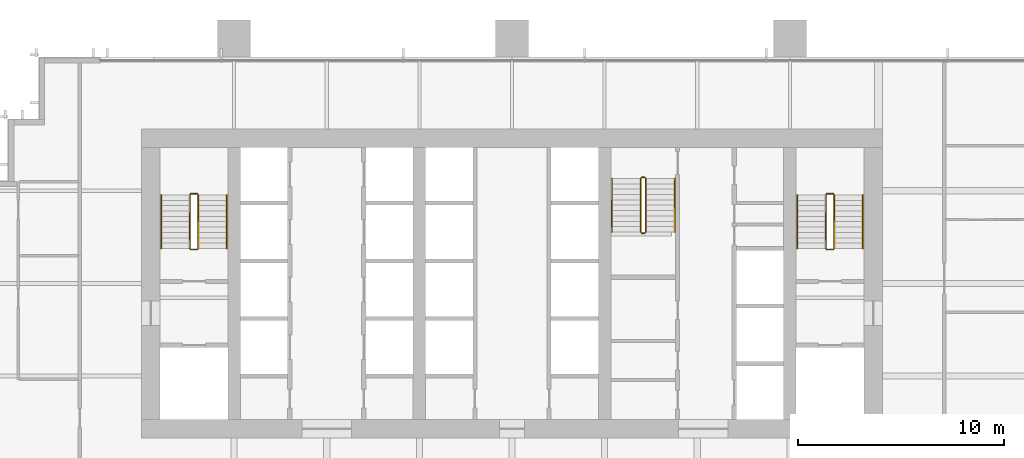
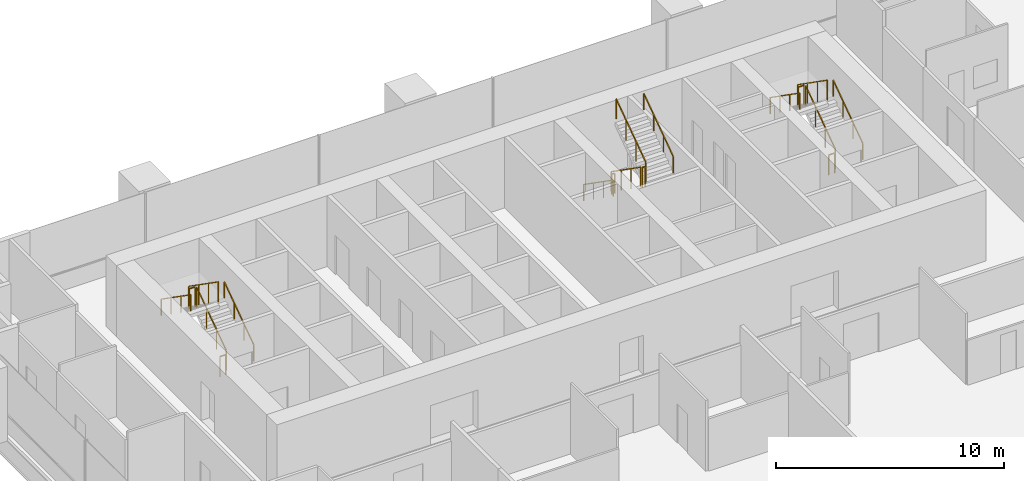
# One storey, part 17 of 17: 18 railings.
"""IFC4 building model written with IfcOpenShell, lengths in metres."""

from ifc_helpers import new_model, si_unit, direction, frame, origin, origin_2d, place, context, subcontext, project, spatial, rectangle, extrude, material, type_object, element, save


model = new_model("IFC4")

# Units and contexts
model_context = context("Model", 3, precision=1e-05, world=origin(), true_north=direction((0.0, 1.0)))
body_context = subcontext(model_context, "Body", "Model", "MODEL_VIEW")
ifc_project = project(units=[si_unit("LENGTHUNIT", "METRE"), si_unit("AREAUNIT", "SQUARE_METRE"), si_unit("VOLUMEUNIT", "CUBIC_METRE"), si_unit("PLANEANGLEUNIT", "RADIAN"), si_unit("MASSUNIT", "GRAM", prefix="KILO")], contexts=[model_context])

# Site, building, storey
site_placement = place(None, origin())
site = spatial("IfcSite", under=ifc_project, at=site_placement, CompositionType="ELEMENT")
building_placement = place(site_placement, origin())
building = spatial("IfcBuilding", under=site, at=building_placement, Name="Rattan Terrace Tower", CompositionType="ELEMENT")
storey_placement = place(building_placement, frame((0.0, 0.0, 83.699951171875)))
storey = spatial("IfcBuildingStorey", under=building, at=storey_placement, Name="L18", CompositionType="ELEMENT", Elevation=83.699951171875)

# Railings
ifc_material_1 = material(Name="Powder-coated steel guard", Category="steel")
railing_type_1 = type_object("IfcRailingType", Name="Core stair guard", PredefinedType="GUARDRAIL", material=ifc_material_1)
railing_1_placement = place(storey_placement, frame((-15.25, 1.699951171875, 0.181884765625)))
element("IfcRailing", 1, at=railing_1_placement, inside=storey, type_object=railing_type_1, Name="L18 S1 stair guard 1", PredefinedType="GUARDRAIL", context=body_context, shape_type="SweptSolid", body=[
    extrude(rectangle(XDim=0.048095703125, YDim=0.048095703125, at=origin_2d()), frame((0.0, 0.0, 1.076171875), z_axis=(0.0, 0.819521025635, 0.573049115296), x_axis=(-1.0, 0.0, 0.0)), (0.0, 0.0, 1.0), 3.172607421875),
    extrude(rectangle(XDim=0.0419921875, YDim=0.0419921875, at=origin_2d()), origin(), (0.0, 0.0, 1.0), 1.052001953125),
    extrude(rectangle(XDim=0.0419921875, YDim=0.0419921875, at=origin_2d()), frame((0.0, 0.86669921875, 0.60595703125)), (0.0, 0.0, 1.0), 1.052001953125),
    extrude(rectangle(XDim=0.0419921875, YDim=0.0419921875, at=origin_2d()), frame((0.0, 1.7333984375, 1.212158203125)), (0.0, 0.0, 1.0), 1.052001953125),
    extrude(rectangle(XDim=0.0419921875, YDim=0.0419921875, at=origin_2d()), frame((0.0, 2.60009765625, 1.818115234375)), (0.0, 0.0, 1.0), 1.052001953125),
])
railing_2_placement = place(storey_placement, frame((-15.300048828125, 4.35009765625, 2.0)))
element("IfcRailing", 2, at=railing_2_placement, inside=storey, type_object=railing_type_1, Name="L18 S1 stair guard 2", PredefinedType="GUARDRAIL", context=body_context, shape_type="SweptSolid", body=[
    extrude(rectangle(XDim=0.048095703125, YDim=0.048095703125, at=origin_2d()), frame((0.0, 0.0, 1.076171875), z_axis=(-1.0, 0.0, 0.0), x_axis=(0.0, -1.0, 0.0)), (0.0, 0.0, 1.0), 0.300048828125),
    extrude(rectangle(XDim=0.0419921875, YDim=0.0419921875, at=origin_2d()), origin(), (0.0, 0.0, 1.0), 1.052001953125),
    extrude(rectangle(XDim=0.0419921875, YDim=0.0419921875, at=origin_2d()), frame((-0.300048828125, 0.0, 0.0)), (0.0, 0.0, 1.0), 1.052001953125),
])
railing_3_placement = place(storey_placement, frame((-15.64990234375, 4.300048828125, 2.181884765625)))
element("IfcRailing", 3, at=railing_3_placement, inside=storey, type_object=railing_type_1, Name="L18 S1 stair guard 3", PredefinedType="GUARDRAIL", context=body_context, shape_type="SweptSolid", body=[
    extrude(rectangle(XDim=0.048095703125, YDim=0.048095703125, at=origin_2d()), frame((0.0, 0.0, 1.076171875), z_axis=(0.0, -0.819521025635, 0.573049115296), x_axis=(1.0, 0.0, 0.0)), (0.0, 0.0, 1.0), 3.172607421875),
    extrude(rectangle(XDim=0.0419921875, YDim=0.0419921875, at=origin_2d()), origin(), (0.0, 0.0, 1.0), 1.052001953125),
    extrude(rectangle(XDim=0.0419921875, YDim=0.0419921875, at=origin_2d()), frame((0.0, -0.86669921875, 0.60595703125)), (0.0, 0.0, 1.0), 1.052001953125),
    extrude(rectangle(XDim=0.0419921875, YDim=0.0419921875, at=origin_2d()), frame((0.0, -1.7333984375, 1.212158203125)), (0.0, 0.0, 1.0), 1.052001953125),
    extrude(rectangle(XDim=0.0419921875, YDim=0.0419921875, at=origin_2d()), frame((0.0, -2.60009765625, 1.818115234375)), (0.0, 0.0, 1.0), 1.052001953125),
])
railing_4_placement = place(storey_placement, frame((-15.300048828125, 1.64990234375, 0.0)))
element("IfcRailing", 4, at=railing_4_placement, inside=storey, type_object=railing_type_1, Name="L18 S1 stair guard 4", PredefinedType="GUARDRAIL", context=body_context, shape_type="SweptSolid", body=[
    extrude(rectangle(XDim=0.048095703125, YDim=0.048095703125, at=origin_2d()), frame((0.0, 0.0, 1.076171875), z_axis=(-1.0, 0.0, 0.0), x_axis=(0.0, -1.0, 0.0)), (0.0, 0.0, 1.0), 0.300048828125),
    extrude(rectangle(XDim=0.0419921875, YDim=0.0419921875, at=origin_2d()), origin(), (0.0, 0.0, 1.0), 1.052001953125),
    extrude(rectangle(XDim=0.0419921875, YDim=0.0419921875, at=origin_2d()), frame((-0.300048828125, 0.0, 0.0)), (0.0, 0.0, 1.0), 1.052001953125),
])
railing_5_placement = place(storey_placement, frame((15.64990234375, 1.699951171875, 0.181884765625)))
element("IfcRailing", 5, at=railing_5_placement, inside=storey, type_object=railing_type_1, Name="L18 S2 stair guard 1", PredefinedType="GUARDRAIL", context=body_context, shape_type="SweptSolid", body=[
    extrude(rectangle(XDim=0.048095703125, YDim=0.048095703125, at=origin_2d()), frame((0.0, 0.0, 1.076171875), z_axis=(0.0, 0.819521025635, 0.573049115296), x_axis=(-1.0, 0.0, 0.0)), (0.0, 0.0, 1.0), 3.172607421875),
    extrude(rectangle(XDim=0.0419921875, YDim=0.0419921875, at=origin_2d()), origin(), (0.0, 0.0, 1.0), 1.052001953125),
    extrude(rectangle(XDim=0.0419921875, YDim=0.0419921875, at=origin_2d()), frame((0.0, 0.86669921875, 0.60595703125)), (0.0, 0.0, 1.0), 1.052001953125),
    extrude(rectangle(XDim=0.0419921875, YDim=0.0419921875, at=origin_2d()), frame((0.0, 1.7333984375, 1.212158203125)), (0.0, 0.0, 1.0), 1.052001953125),
    extrude(rectangle(XDim=0.0419921875, YDim=0.0419921875, at=origin_2d()), frame((0.0, 2.60009765625, 1.818115234375)), (0.0, 0.0, 1.0), 1.052001953125),
])
railing_6_placement = place(storey_placement, frame((15.60009765625, 4.35009765625, 2.0)))
element("IfcRailing", 6, at=railing_6_placement, inside=storey, type_object=railing_type_1, Name="L18 S2 stair guard 2", PredefinedType="GUARDRAIL", context=body_context, shape_type="SweptSolid", body=[
    extrude(rectangle(XDim=0.048095703125, YDim=0.048095703125, at=origin_2d()), frame((0.0, 0.0, 1.076171875), z_axis=(-1.0, 0.0, 0.0), x_axis=(0.0, -1.0, 0.0)), (0.0, 0.0, 1.0), 0.300048828125),
    extrude(rectangle(XDim=0.0419921875, YDim=0.0419921875, at=origin_2d()), origin(), (0.0, 0.0, 1.0), 1.052001953125),
    extrude(rectangle(XDim=0.0419921875, YDim=0.0419921875, at=origin_2d()), frame((-0.300048828125, 0.0, 0.0)), (0.0, 0.0, 1.0), 1.052001953125),
])
railing_7_placement = place(storey_placement, frame((15.25, 4.300048828125, 2.181884765625)))
element("IfcRailing", 7, at=railing_7_placement, inside=storey, type_object=railing_type_1, Name="L18 S2 stair guard 3", PredefinedType="GUARDRAIL", context=body_context, shape_type="SweptSolid", body=[
    extrude(rectangle(XDim=0.048095703125, YDim=0.048095703125, at=origin_2d()), frame((0.0, 0.0, 1.076171875), z_axis=(0.0, -0.819521025635, 0.573049115296), x_axis=(1.0, 0.0, 0.0)), (0.0, 0.0, 1.0), 3.172607421875),
    extrude(rectangle(XDim=0.0419921875, YDim=0.0419921875, at=origin_2d()), origin(), (0.0, 0.0, 1.0), 1.052001953125),
    extrude(rectangle(XDim=0.0419921875, YDim=0.0419921875, at=origin_2d()), frame((0.0, -0.86669921875, 0.60595703125)), (0.0, 0.0, 1.0), 1.052001953125),
    extrude(rectangle(XDim=0.0419921875, YDim=0.0419921875, at=origin_2d()), frame((0.0, -1.7333984375, 1.212158203125)), (0.0, 0.0, 1.0), 1.052001953125),
    extrude(rectangle(XDim=0.0419921875, YDim=0.0419921875, at=origin_2d()), frame((0.0, -2.60009765625, 1.818115234375)), (0.0, 0.0, 1.0), 1.052001953125),
])
railing_8_placement = place(storey_placement, frame((15.60009765625, 1.64990234375, 0.0)))
element("IfcRailing", 8, at=railing_8_placement, inside=storey, type_object=railing_type_1, Name="L18 S2 stair guard 4", PredefinedType="GUARDRAIL", context=body_context, shape_type="SweptSolid", body=[
    extrude(rectangle(XDim=0.048095703125, YDim=0.048095703125, at=origin_2d()), frame((0.0, 0.0, 1.076171875), z_axis=(-1.0, 0.0, 0.0), x_axis=(0.0, -1.0, 0.0)), (0.0, 0.0, 1.0), 0.300048828125),
    extrude(rectangle(XDim=0.0419921875, YDim=0.0419921875, at=origin_2d()), origin(), (0.0, 0.0, 1.0), 1.052001953125),
    extrude(rectangle(XDim=0.0419921875, YDim=0.0419921875, at=origin_2d()), frame((-0.300048828125, 0.0, 0.0)), (0.0, 0.0, 1.0), 1.052001953125),
])
railing_9_placement = place(storey_placement, frame((6.25, 5.10009765625, 0.181884765625)))
element("IfcRailing", 9, at=railing_9_placement, inside=storey, type_object=railing_type_1, Name="L18 S3 stair guard 1", PredefinedType="GUARDRAIL", context=body_context, shape_type="SweptSolid", body=[
    extrude(rectangle(XDim=0.048095703125, YDim=0.048095703125, at=origin_2d()), frame((0.0, 0.0, 1.076171875), z_axis=(0.0, -0.819521025635, 0.573049115296), x_axis=(1.0, 0.0, 0.0)), (0.0, 0.0, 1.0), 3.172607421875),
    extrude(rectangle(XDim=0.0419921875, YDim=0.0419921875, at=origin_2d()), origin(), (0.0, 0.0, 1.0), 1.052001953125),
    extrude(rectangle(XDim=0.0419921875, YDim=0.0419921875, at=origin_2d()), frame((0.0, -0.86669921875, 0.60595703125)), (0.0, 0.0, 1.0), 1.052001953125),
    extrude(rectangle(XDim=0.0419921875, YDim=0.0419921875, at=origin_2d()), frame((0.0, -1.7333984375, 1.212158203125)), (0.0, 0.0, 1.0), 1.052001953125),
    extrude(rectangle(XDim=0.0419921875, YDim=0.0419921875, at=origin_2d()), frame((0.0, -2.60009765625, 1.818115234375)), (0.0, 0.0, 1.0), 1.052001953125),
])
railing_10_placement = place(storey_placement, frame((6.300048828125, 2.449951171875, 2.0)))
element("IfcRailing", 10, at=railing_10_placement, inside=storey, type_object=railing_type_1, Name="L18 S3 stair guard 2", PredefinedType="GUARDRAIL", context=body_context, shape_type="SweptSolid", body=[
    extrude(rectangle(XDim=0.048095703125, YDim=0.048095703125, at=origin_2d()), frame((0.0, 0.0, 1.076171875), z_axis=(1.0, 0.0, 0.0), x_axis=(0.0, 1.0, 0.0)), (0.0, 0.0, 1.0), 0.14990234375),
    extrude(rectangle(XDim=0.0419921875, YDim=0.0419921875, at=origin_2d()), origin(), (0.0, 0.0, 1.0), 1.052001953125),
    extrude(rectangle(XDim=0.0419921875, YDim=0.0419921875, at=origin_2d()), frame((0.14990234375, 0.0, 0.0)), (0.0, 0.0, 1.0), 1.052001953125),
])
railing_11_placement = place(storey_placement, frame((6.5, 2.5, 2.181884765625)))
element("IfcRailing", 11, at=railing_11_placement, inside=storey, type_object=railing_type_1, Name="L18 S3 stair guard 3", PredefinedType="GUARDRAIL", context=body_context, shape_type="SweptSolid", body=[
    extrude(rectangle(XDim=0.048095703125, YDim=0.048095703125, at=origin_2d()), frame((0.0, 0.0, 1.076171875), z_axis=(0.0, 0.819521025635, 0.573049115296), x_axis=(-1.0, 0.0, 0.0)), (0.0, 0.0, 1.0), 3.172607421875),
    extrude(rectangle(XDim=0.0419921875, YDim=0.0419921875, at=origin_2d()), origin(), (0.0, 0.0, 1.0), 1.052001953125),
    extrude(rectangle(XDim=0.0419921875, YDim=0.0419921875, at=origin_2d()), frame((0.0, 0.86669921875, 0.60595703125)), (0.0, 0.0, 1.0), 1.052001953125),
    extrude(rectangle(XDim=0.0419921875, YDim=0.0419921875, at=origin_2d()), frame((0.0, 1.7333984375, 1.212158203125)), (0.0, 0.0, 1.0), 1.052001953125),
    extrude(rectangle(XDim=0.0419921875, YDim=0.0419921875, at=origin_2d()), frame((0.0, 2.60009765625, 1.818115234375)), (0.0, 0.0, 1.0), 1.052001953125),
])
railing_12_placement = place(storey_placement, frame((6.300048828125, 5.14990234375, 0.0)))
element("IfcRailing", 12, at=railing_12_placement, inside=storey, type_object=railing_type_1, Name="L18 S3 stair guard 4", PredefinedType="GUARDRAIL", context=body_context, shape_type="SweptSolid", body=[
    extrude(rectangle(XDim=0.048095703125, YDim=0.048095703125, at=origin_2d()), frame((0.0, 0.0, 1.076171875), z_axis=(1.0, 0.0, 0.0), x_axis=(0.0, 1.0, 0.0)), (0.0, 0.0, 1.0), 0.14990234375),
    extrude(rectangle(XDim=0.0419921875, YDim=0.0419921875, at=origin_2d()), origin(), (0.0, 0.0, 1.0), 1.052001953125),
    extrude(rectangle(XDim=0.0419921875, YDim=0.0419921875, at=origin_2d()), frame((0.14990234375, 0.0, 0.0)), (0.0, 0.0, 1.0), 1.052001953125),
])
ifc_material_2 = material(Name="Powder-coated steel handrail", Category="steel")
railing_type_2 = type_object("IfcRailingType", Name="Core stair handrail", PredefinedType="HANDRAIL", material=ifc_material_2)
railing_13_placement = place(storey_placement, frame((-13.85009765625, 1.699951171875, 0.181884765625)))
element("IfcRailing", 13, at=railing_13_placement, inside=storey, type_object=railing_type_2, Name="L18 S1 stair handrail 1", PredefinedType="HANDRAIL", context=body_context, shape_type="SweptSolid", body=[
    extrude(rectangle(XDim=0.048095703125, YDim=0.048095703125, at=origin_2d()), frame((0.0, 0.0, 0.8759765625), z_axis=(0.0, 0.819521025635, 0.573049115296), x_axis=(-1.0, 0.0, 0.0)), (0.0, 0.0, 1.0), 3.172607421875),
    extrude(rectangle(XDim=0.0419921875, YDim=0.0419921875, at=origin_2d()), origin(), (0.0, 0.0, 1.0), 0.851806640625),
    extrude(rectangle(XDim=0.0419921875, YDim=0.0419921875, at=origin_2d()), frame((0.0, 0.86669921875, 0.60595703125)), (0.0, 0.0, 1.0), 0.851806640625),
    extrude(rectangle(XDim=0.0419921875, YDim=0.0419921875, at=origin_2d()), frame((0.0, 1.7333984375, 1.212158203125)), (0.0, 0.0, 1.0), 0.851806640625),
    extrude(rectangle(XDim=0.0419921875, YDim=0.0419921875, at=origin_2d()), frame((0.0, 2.60009765625, 1.818115234375)), (0.0, 0.0, 1.0), 0.851806640625),
])
railing_14_placement = place(storey_placement, frame((-17.050048828125, 4.300048828125, 2.181884765625)))
element("IfcRailing", 14, at=railing_14_placement, inside=storey, type_object=railing_type_2, Name="L18 S1 stair handrail 2", PredefinedType="HANDRAIL", context=body_context, shape_type="SweptSolid", body=[
    extrude(rectangle(XDim=0.048095703125, YDim=0.048095703125, at=origin_2d()), frame((0.0, 0.0, 0.8759765625), z_axis=(0.0, -0.819521025635, 0.573049115296), x_axis=(1.0, 0.0, 0.0)), (0.0, 0.0, 1.0), 3.172607421875),
    extrude(rectangle(XDim=0.0419921875, YDim=0.0419921875, at=origin_2d()), origin(), (0.0, 0.0, 1.0), 0.851806640625),
    extrude(rectangle(XDim=0.0419921875, YDim=0.0419921875, at=origin_2d()), frame((0.0, -0.86669921875, 0.60595703125)), (0.0, 0.0, 1.0), 0.851806640625),
    extrude(rectangle(XDim=0.0419921875, YDim=0.0419921875, at=origin_2d()), frame((0.0, -1.7333984375, 1.212158203125)), (0.0, 0.0, 1.0), 0.851806640625),
    extrude(rectangle(XDim=0.0419921875, YDim=0.0419921875, at=origin_2d()), frame((0.0, -2.60009765625, 1.818115234375)), (0.0, 0.0, 1.0), 0.851806640625),
])
railing_15_placement = place(storey_placement, frame((17.050048828125, 1.699951171875, 0.181884765625)))
element("IfcRailing", 15, at=railing_15_placement, inside=storey, type_object=railing_type_2, Name="L18 S2 stair handrail 1", PredefinedType="HANDRAIL", context=body_context, shape_type="SweptSolid", body=[
    extrude(rectangle(XDim=0.048095703125, YDim=0.048095703125, at=origin_2d()), frame((0.0, 0.0, 0.8759765625), z_axis=(0.0, 0.819521025635, 0.573049115296), x_axis=(-1.0, 0.0, 0.0)), (0.0, 0.0, 1.0), 3.172607421875),
    extrude(rectangle(XDim=0.0419921875, YDim=0.0419921875, at=origin_2d()), origin(), (0.0, 0.0, 1.0), 0.851806640625),
    extrude(rectangle(XDim=0.0419921875, YDim=0.0419921875, at=origin_2d()), frame((0.0, 0.86669921875, 0.60595703125)), (0.0, 0.0, 1.0), 0.851806640625),
    extrude(rectangle(XDim=0.0419921875, YDim=0.0419921875, at=origin_2d()), frame((0.0, 1.7333984375, 1.212158203125)), (0.0, 0.0, 1.0), 0.851806640625),
    extrude(rectangle(XDim=0.0419921875, YDim=0.0419921875, at=origin_2d()), frame((0.0, 2.60009765625, 1.818115234375)), (0.0, 0.0, 1.0), 0.851806640625),
])
for number, where, name in (
    (16, (13.85009765625, 4.300048828125, 2.181884765625), "L18 S2 stair handrail 2"),
    (17, (4.85009765625, 5.10009765625, 0.181884765625), "L18 S3 stair handrail 1"),
):
    element("IfcRailing", number, at=place(storey_placement, frame(where)), inside=storey, type_object=railing_type_2, Name=name, PredefinedType="HANDRAIL", context=body_context, shape_type="SweptSolid", body=[
        extrude(rectangle(XDim=0.048095703125, YDim=0.048095703125, at=origin_2d()), frame((0.0, 0.0, 0.8759765625), z_axis=(0.0, -0.819521025635, 0.573049115296), x_axis=(1.0, 0.0, 0.0)), (0.0, 0.0, 1.0), 3.172607421875),
        extrude(rectangle(XDim=0.0419921875, YDim=0.0419921875, at=origin_2d()), origin(), (0.0, 0.0, 1.0), 0.851806640625),
        extrude(rectangle(XDim=0.0419921875, YDim=0.0419921875, at=origin_2d()), frame((0.0, -0.86669921875, 0.60595703125)), (0.0, 0.0, 1.0), 0.851806640625),
        extrude(rectangle(XDim=0.0419921875, YDim=0.0419921875, at=origin_2d()), frame((0.0, -1.7333984375, 1.212158203125)), (0.0, 0.0, 1.0), 0.851806640625),
        extrude(rectangle(XDim=0.0419921875, YDim=0.0419921875, at=origin_2d()), frame((0.0, -2.60009765625, 1.818115234375)), (0.0, 0.0, 1.0), 0.851806640625),
    ])
railing_16_placement = place(storey_placement, frame((7.89990234375, 2.5, 2.181884765625)))
element("IfcRailing", 18, at=railing_16_placement, inside=storey, type_object=railing_type_2, Name="L18 S3 stair handrail 2", PredefinedType="HANDRAIL", context=body_context, shape_type="SweptSolid", body=[
    extrude(rectangle(XDim=0.048095703125, YDim=0.048095703125, at=origin_2d()), frame((0.0, 0.0, 0.8759765625), z_axis=(0.0, 0.819521025635, 0.573049115296), x_axis=(-1.0, 0.0, 0.0)), (0.0, 0.0, 1.0), 3.172607421875),
    extrude(rectangle(XDim=0.0419921875, YDim=0.0419921875, at=origin_2d()), origin(), (0.0, 0.0, 1.0), 0.851806640625),
    extrude(rectangle(XDim=0.0419921875, YDim=0.0419921875, at=origin_2d()), frame((0.0, 0.86669921875, 0.60595703125)), (0.0, 0.0, 1.0), 0.851806640625),
    extrude(rectangle(XDim=0.0419921875, YDim=0.0419921875, at=origin_2d()), frame((0.0, 1.7333984375, 1.212158203125)), (0.0, 0.0, 1.0), 0.851806640625),
    extrude(rectangle(XDim=0.0419921875, YDim=0.0419921875, at=origin_2d()), frame((0.0, 2.60009765625, 1.818115234375)), (0.0, 0.0, 1.0), 0.851806640625),
])

save(model, "model.ifc")
